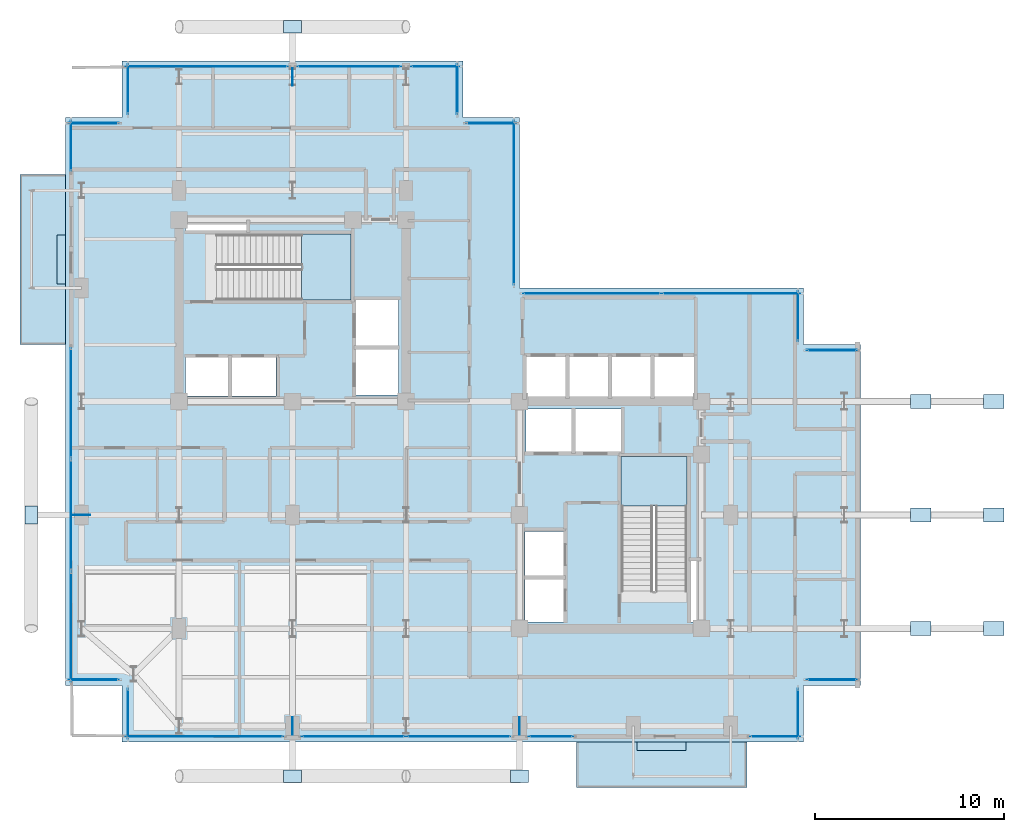
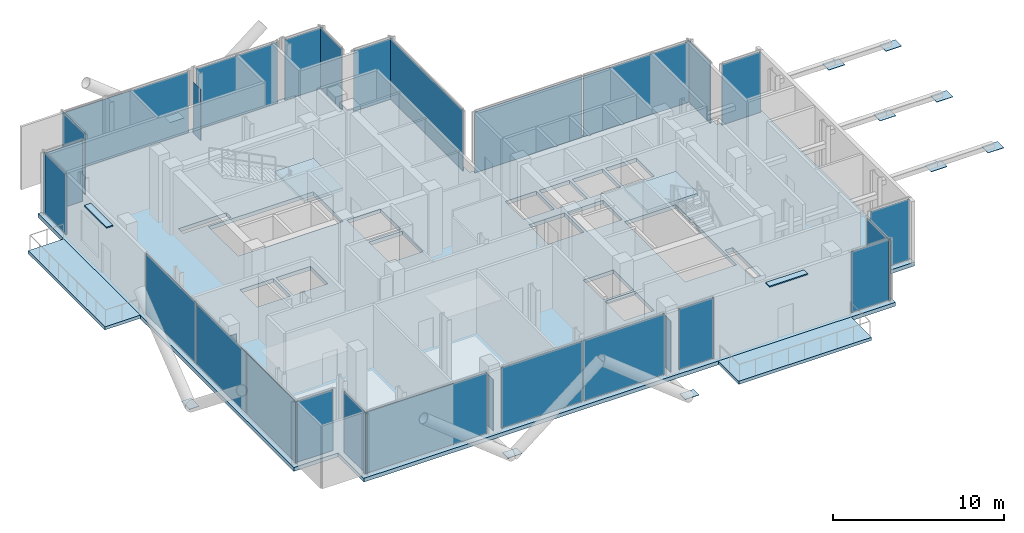
# One storey, part 13 of 22: 41 plates, 5 slabs, 23 elements without a shape of their own.
"""IFC4 building model written with IfcOpenShell, lengths in metres."""

from ifc_helpers import new_model, si_unit, direction, frame, origin, origin_2d, place, context, subcontext, project, spatial, polyline, rectangle, outline, extrude, material, layer, layer_set, type_object, element, aggregate, save


model = new_model("IFC4")

# Units and contexts
model_context = context("Model", 3, precision=1e-05, world=origin(), true_north=direction((0.0, 1.0)))
body_context = subcontext(model_context, "Body", "Model", "MODEL_VIEW")
ifc_project = project(units=[si_unit("LENGTHUNIT", "METRE"), si_unit("AREAUNIT", "SQUARE_METRE"), si_unit("VOLUMEUNIT", "CUBIC_METRE"), si_unit("PLANEANGLEUNIT", "RADIAN"), si_unit("MASSUNIT", "GRAM", prefix="KILO"), si_unit("THERMODYNAMICTEMPERATUREUNIT", "KELVIN"), si_unit("POWERUNIT", "WATT")], contexts=[model_context])

# Site, building, storey
site_placement = place(None, origin())
site = spatial("IfcSite", under=ifc_project, at=site_placement, CompositionType="ELEMENT")
building_placement = place(site_placement, origin())
building = spatial("IfcBuilding", under=site, at=building_placement, Name="Svarakhadi Broadcast Tower", CompositionType="ELEMENT")
storey_placement = place(building_placement, frame((0.0, 0.0, 199.199951171875)))
storey = spatial("IfcBuildingStorey", under=building, at=storey_placement, Name="L49", CompositionType="ELEMENT", Elevation=199.199951171875)

# Curtain wall, plate
ifc_material_1 = material(Name="Anodised Bronze Aluminium AA 6063-T6", Category="aluminium")
ifc_layer_1 = layer(ifc_material_1, 0.239990234375)
ifc_layer_set_1 = layer_set([ifc_layer_1], Name="Anodised Bronze Aluminium AA 6063-T6")
curtain_wall_type = type_object("IfcCurtainWallType", Name="CW_Sys_06", PredefinedType="NOTDEFINED", material=ifc_layer_set_1)
curtain_wall_1_placement = place(storey_placement, origin())
curtain_wall_1 = element("IfcCurtainWall", 1, at=curtain_wall_1_placement, inside=storey, type_object=curtain_wall_type, Name="L49 Unitised Facade Curtain Wall 01", PredefinedType="NOTDEFINED")
ifc_material_2 = material(Name="Double Low-E Laminated Acoustic Glass IGU 36 mm", Category="glass")
ifc_layer_2 = layer(ifc_material_2, 0.0400390625)
ifc_layer_set_2 = layer_set([ifc_layer_2], Name="Double Low-E Laminated Acoustic Glass IGU 36 mm")
plate_type_1 = type_object("IfcPlateType", Name="CW_Sys_06_Pnl", PredefinedType="CURTAIN_PANEL", material=ifc_layer_set_2)
plate_1_placement = place(storey_placement, frame((1.5, 3.300048828125, 0.080078125), z_axis=(0.0, 0.0, 1.0), x_axis=(-1.0, 0.0, 0.0)))
plate_1 = element("IfcPlate", 2, at=plate_1_placement, type_object=plate_type_1, Name="CW-06 panel 1.1", PredefinedType="CURTAIN_PANEL", context=body_context, shape_type="SweptSolid", body=[
    extrude(rectangle(XDim=2.639892578125, YDim=0.0400390625, at=origin_2d()), origin(), (0.0, 0.0, 1.0), 4.340087890625),
])
aggregate(curtain_wall_1, [plate_1])

# Curtain wall, plates
curtain_wall_2_placement = place(storey_placement, origin())
curtain_wall_2 = element("IfcCurtainWall", 3, at=curtain_wall_2_placement, inside=storey, type_object=curtain_wall_type, Name="L49 West Curtain Wall 02", PredefinedType="NOTDEFINED")
plate_2_placement = place(storey_placement, frame((0.300048828125, 6.08251953125, 0.080078125), z_axis=(0.0, 0.0, 1.0), x_axis=(0.0, 1.0, 0.0)))
plate_2 = element("IfcPlate", 4, at=plate_2_placement, type_object=plate_type_1, Name="CW-06 panel 1.1", PredefinedType="CURTAIN_PANEL", context=body_context, shape_type="SweptSolid", body=[
    extrude(rectangle(XDim=5.804931640625, YDim=0.0400390625, at=origin_2d()), origin(), (0.0, 0.0, 1.0), 4.340087890625),
])
plate_3_placement = place(storey_placement, frame((0.300048828125, 12.0, 0.080078125), z_axis=(0.0, 0.0, 1.0), x_axis=(0.0, 1.0, 0.0)))
plate_3 = element("IfcPlate", 5, at=plate_3_placement, type_object=plate_type_1, Name="CW-06 panel 2.1", PredefinedType="CURTAIN_PANEL", context=body_context, shape_type="SweptSolid", body=[
    extrude(rectangle(XDim=5.85009765625, YDim=0.0400390625, at=origin_2d()), origin(), (0.0, 0.0, 1.0), 4.340087890625),
])
plate_4_placement = place(storey_placement, frame((0.300048828125, 17.91748046875, 0.080078125), z_axis=(0.0, 0.0, 1.0), x_axis=(0.0, 1.0, 0.0)))
plate_4 = element("IfcPlate", 6, at=plate_4_placement, type_object=plate_type_1, Name="CW-06 panel 3.1", PredefinedType="CURTAIN_PANEL", context=body_context, shape_type="SweptSolid", body=[
    extrude(rectangle(XDim=5.804931640625, YDim=0.0400390625, at=origin_2d()), origin(), (0.0, 0.0, 1.0), 4.340087890625),
])
aggregate(curtain_wall_2, [plate_2, plate_3, plate_4])

# Curtain wall, plate
curtain_wall_3_placement = place(storey_placement, origin())
curtain_wall_3 = element("IfcCurtainWall", 7, at=curtain_wall_3_placement, inside=storey, type_object=curtain_wall_type, Name="L49 West Curtain Wall 03", PredefinedType="NOTDEFINED")
plate_5_placement = place(storey_placement, frame((0.300048828125, 31.5, 0.080078125), z_axis=(0.0, 0.0, 1.0), x_axis=(0.0, 1.0, 0.0)))
plate_5 = element("IfcPlate", 8, at=plate_5_placement, type_object=plate_type_1, Name="CW-06 panel 1.1", PredefinedType="CURTAIN_PANEL", context=body_context, shape_type="SweptSolid", body=[
    extrude(rectangle(XDim=2.639892578125, YDim=0.0400390625, at=origin_2d()), origin(), (0.0, 0.0, 1.0), 4.340087890625),
])
aggregate(curtain_wall_3, [plate_5])

curtain_wall_4_placement = place(storey_placement, origin())
curtain_wall_4 = element("IfcCurtainWall", 9, at=curtain_wall_4_placement, inside=storey, type_object=curtain_wall_type, Name="L49 Unitised Facade Curtain Wall 04", PredefinedType="NOTDEFINED")
plate_6_placement = place(storey_placement, frame((1.5, 32.699951171875, 0.080078125), z_axis=(0.0, 0.0, 1.0), x_axis=(1.0, 0.0, 0.0)))
plate_6 = element("IfcPlate", 10, at=plate_6_placement, type_object=plate_type_1, Name="CW-06 panel 1.1", PredefinedType="CURTAIN_PANEL", context=body_context, shape_type="SweptSolid", body=[
    extrude(rectangle(XDim=2.639892578125, YDim=0.0400390625, at=origin_2d()), origin(), (0.0, 0.0, 1.0), 4.340087890625),
])
aggregate(curtain_wall_4, [plate_6])

curtain_wall_5_placement = place(storey_placement, origin())
curtain_wall_5 = element("IfcCurtainWall", 11, at=curtain_wall_5_placement, inside=storey, type_object=curtain_wall_type, Name="L49 Unitised Facade Curtain Wall 05", PredefinedType="NOTDEFINED")
plate_7_placement = place(storey_placement, frame((3.300048828125, 34.5, 0.080078125), z_axis=(0.0, 0.0, 1.0), x_axis=(0.0, 1.0, 0.0)))
plate_7 = element("IfcPlate", 12, at=plate_7_placement, type_object=plate_type_1, Name="CW-06 panel 1.1", PredefinedType="CURTAIN_PANEL", context=body_context, shape_type="SweptSolid", body=[
    extrude(rectangle(XDim=2.639892578125, YDim=0.0400390625, at=origin_2d()), origin(), (0.0, 0.0, 1.0), 4.340087890625),
])
aggregate(curtain_wall_5, [plate_7])

curtain_wall_6_placement = place(storey_placement, origin())
curtain_wall_6 = element("IfcCurtainWall", 13, at=curtain_wall_6_placement, inside=storey, type_object=curtain_wall_type, Name="L49 Unitised Facade Curtain Wall 06 Bay 1", PredefinedType="NOTDEFINED")
plate_8_placement = place(storey_placement, frame((7.4599609375, 35.699951171875, 0.080078125), z_axis=(0.0, 0.0, 1.0), x_axis=(1.0, 0.0, 0.0)))
plate_8 = element("IfcPlate", 14, at=plate_8_placement, type_object=plate_type_1, Name="CW-06 panel 1.1", PredefinedType="CURTAIN_PANEL", context=body_context, shape_type="SweptSolid", body=[
    extrude(rectangle(XDim=8.56005859375, YDim=0.0400390625, at=origin_2d()), origin(), (0.0, 0.0, 1.0), 4.340087890625),
])
aggregate(curtain_wall_6, [plate_8])

curtain_wall_7_placement = place(storey_placement, origin())
curtain_wall_7 = element("IfcCurtainWall", 15, at=curtain_wall_7_placement, inside=storey, type_object=curtain_wall_type, Name="L49 Unitised Facade Curtain Wall 06 Bay 2", PredefinedType="NOTDEFINED")
plate_9_placement = place(storey_placement, frame((15.0, 35.699951171875, 0.080078125), z_axis=(0.0, 0.0, 1.0), x_axis=(1.0, 0.0, 0.0)))
plate_9 = element("IfcPlate", 16, at=plate_9_placement, type_object=plate_type_1, Name="CW-06 panel 1.1", PredefinedType="CURTAIN_PANEL", context=body_context, shape_type="SweptSolid", body=[
    extrude(rectangle(XDim=5.47998046875, YDim=0.0400390625, at=origin_2d()), origin(), (0.0, 0.0, 1.0), 4.340087890625),
])
aggregate(curtain_wall_7, [plate_9])

curtain_wall_8_placement = place(storey_placement, origin())
curtain_wall_8 = element("IfcCurtainWall", 17, at=curtain_wall_8_placement, inside=storey, type_object=curtain_wall_type, Name="L49 Unitised Facade Curtain Wall 06 Bay 3", PredefinedType="NOTDEFINED")
plate_10_placement = place(storey_placement, frame((19.5400390625, 35.699951171875, 0.080078125), z_axis=(0.0, 0.0, 1.0), x_axis=(1.0, 0.0, 0.0)))
plate_10 = element("IfcPlate", 18, at=plate_10_placement, type_object=plate_type_1, Name="CW-06 panel 1.1", PredefinedType="CURTAIN_PANEL", context=body_context, shape_type="SweptSolid", body=[
    extrude(rectangle(XDim=2.56005859375, YDim=0.0400390625, at=origin_2d()), origin(), (0.0, 0.0, 1.0), 4.340087890625),
])
aggregate(curtain_wall_8, [plate_10])

curtain_wall_9_placement = place(storey_placement, origin())
curtain_wall_9 = element("IfcCurtainWall", 19, at=curtain_wall_9_placement, inside=storey, type_object=curtain_wall_type, Name="L49 Unitised Facade Curtain Wall 07", PredefinedType="NOTDEFINED")
plate_11_placement = place(storey_placement, frame((20.699951171875, 34.5, 0.080078125), z_axis=(0.0, 0.0, 1.0), x_axis=(0.0, -1.0, 0.0)))
plate_11 = element("IfcPlate", 20, at=plate_11_placement, type_object=plate_type_1, Name="CW-06 panel 1.1", PredefinedType="CURTAIN_PANEL", context=body_context, shape_type="SweptSolid", body=[
    extrude(rectangle(XDim=2.639892578125, YDim=0.0400390625, at=origin_2d()), origin(), (0.0, 0.0, 1.0), 4.340087890625),
])
aggregate(curtain_wall_9, [plate_11])

curtain_wall_10_placement = place(storey_placement, origin())
curtain_wall_10 = element("IfcCurtainWall", 21, at=curtain_wall_10_placement, inside=storey, type_object=curtain_wall_type, Name="L49 Unitised Facade Curtain Wall 08", PredefinedType="NOTDEFINED")
plate_12_placement = place(storey_placement, frame((22.5, 32.699951171875, 0.080078125), z_axis=(0.0, 0.0, 1.0), x_axis=(1.0, 0.0, 0.0)))
plate_12 = element("IfcPlate", 22, at=plate_12_placement, type_object=plate_type_1, Name="CW-06 panel 1.1", PredefinedType="CURTAIN_PANEL", context=body_context, shape_type="SweptSolid", body=[
    extrude(rectangle(XDim=2.639892578125, YDim=0.0400390625, at=origin_2d()), origin(), (0.0, 0.0, 1.0), 4.340087890625),
])
aggregate(curtain_wall_10, [plate_12])

curtain_wall_11_placement = place(storey_placement, origin())
curtain_wall_11 = element("IfcCurtainWall", 23, at=curtain_wall_11_placement, inside=storey, type_object=curtain_wall_type, Name="L49 Unitised Facade Curtain Wall 09", PredefinedType="NOTDEFINED")
plate_13_placement = place(storey_placement, frame((23.699951171875, 28.5, 0.080078125), z_axis=(0.0, 0.0, 1.0), x_axis=(0.0, -1.0, 0.0)))
plate_13 = element("IfcPlate", 24, at=plate_13_placement, type_object=plate_type_1, Name="CW-06 panel 1.1", PredefinedType="CURTAIN_PANEL", context=body_context, shape_type="SweptSolid", body=[
    extrude(rectangle(XDim=8.639892578125, YDim=0.0400390625, at=origin_2d()), origin(), (0.0, 0.0, 1.0), 4.340087890625),
])
aggregate(curtain_wall_11, [plate_13])

# Curtain wall, plates
curtain_wall_12_placement = place(storey_placement, origin())
curtain_wall_12 = element("IfcCurtainWall", 25, at=curtain_wall_12_placement, inside=storey, type_object=curtain_wall_type, Name="L49 Unitised Facade Curtain Wall 10", PredefinedType="NOTDEFINED")
plate_14_placement = place(storey_placement, frame((27.8173828125, 23.699951171875, 0.080078125), z_axis=(0.0, 0.0, 1.0), x_axis=(1.0, 0.0, 0.0)))
plate_14 = element("IfcPlate", 26, at=plate_14_placement, type_object=plate_type_1, Name="CW-06 panel 1.1", PredefinedType="CURTAIN_PANEL", context=body_context, shape_type="SweptSolid", body=[
    extrude(rectangle(XDim=7.27490234375, YDim=0.0400390625, at=origin_2d()), origin(), (0.0, 0.0, 1.0), 4.340087890625),
])
plate_15_placement = place(storey_placement, frame((35.1826171875, 23.699951171875, 0.080078125), z_axis=(0.0, 0.0, 1.0), x_axis=(1.0, 0.0, 0.0)))
plate_15 = element("IfcPlate", 27, at=plate_15_placement, type_object=plate_type_1, Name="CW-06 panel 2.1", PredefinedType="CURTAIN_PANEL", context=body_context, shape_type="SweptSolid", body=[
    extrude(rectangle(XDim=7.27490234375, YDim=0.0400390625, at=origin_2d()), origin(), (0.0, 0.0, 1.0), 4.340087890625),
])
aggregate(curtain_wall_12, [plate_14, plate_15])

# Curtain wall, plate
curtain_wall_13_placement = place(storey_placement, origin())
curtain_wall_13 = element("IfcCurtainWall", 28, at=curtain_wall_13_placement, inside=storey, type_object=curtain_wall_type, Name="L49 Unitised Facade Curtain Wall 11", PredefinedType="NOTDEFINED")
plate_16_placement = place(storey_placement, frame((38.699951171875, 22.5, 0.080078125), z_axis=(0.0, 0.0, 1.0), x_axis=(0.0, -1.0, 0.0)))
plate_16 = element("IfcPlate", 29, at=plate_16_placement, type_object=plate_type_1, Name="CW-06 panel 1.1", PredefinedType="CURTAIN_PANEL", context=body_context, shape_type="SweptSolid", body=[
    extrude(rectangle(XDim=2.639892578125, YDim=0.0400390625, at=origin_2d()), origin(), (0.0, 0.0, 1.0), 4.340087890625),
])
aggregate(curtain_wall_13, [plate_16])

curtain_wall_14_placement = place(storey_placement, origin())
curtain_wall_14 = element("IfcCurtainWall", 30, at=curtain_wall_14_placement, inside=storey, type_object=curtain_wall_type, Name="L49 Unitised Facade Curtain Wall 12", PredefinedType="NOTDEFINED")
plate_17_placement = place(storey_placement, frame((40.5, 20.699951171875, 0.080078125), z_axis=(0.0, 0.0, 1.0), x_axis=(1.0, 0.0, 0.0)))
plate_17 = element("IfcPlate", 31, at=plate_17_placement, type_object=plate_type_1, Name="CW-06 panel 1.1", PredefinedType="CURTAIN_PANEL", context=body_context, shape_type="SweptSolid", body=[
    extrude(rectangle(XDim=2.639892578125, YDim=0.0400390625, at=origin_2d()), origin(), (0.0, 0.0, 1.0), 4.340087890625),
])
aggregate(curtain_wall_14, [plate_17])

curtain_wall_15_placement = place(storey_placement, origin())
curtain_wall_15 = element("IfcCurtainWall", 32, at=curtain_wall_15_placement, inside=storey, type_object=curtain_wall_type, Name="L49 Unitised Facade Curtain Wall 13", PredefinedType="NOTDEFINED")
plate_18_placement = place(storey_placement, frame((40.5, 3.300048828125, 0.080078125), z_axis=(0.0, 0.0, 1.0), x_axis=(-1.0, 0.0, 0.0)))
plate_18 = element("IfcPlate", 33, at=plate_18_placement, type_object=plate_type_1, Name="CW-06 panel 1.1", PredefinedType="CURTAIN_PANEL", context=body_context, shape_type="SweptSolid", body=[
    extrude(rectangle(XDim=2.639892578125, YDim=0.0400390625, at=origin_2d()), origin(), (0.0, 0.0, 1.0), 4.340087890625),
])
aggregate(curtain_wall_15, [plate_18])

curtain_wall_16_placement = place(storey_placement, origin())
curtain_wall_16 = element("IfcCurtainWall", 34, at=curtain_wall_16_placement, inside=storey, type_object=curtain_wall_type, Name="L49 Unitised Facade Curtain Wall 14", PredefinedType="NOTDEFINED")
plate_19_placement = place(storey_placement, frame((38.699951171875, 1.5, 0.080078125), z_axis=(0.0, 0.0, 1.0), x_axis=(0.0, -1.0, 0.0)))
plate_19 = element("IfcPlate", 35, at=plate_19_placement, type_object=plate_type_1, Name="CW-06 panel 1.1", PredefinedType="CURTAIN_PANEL", context=body_context, shape_type="SweptSolid", body=[
    extrude(rectangle(XDim=2.639892578125, YDim=0.0400390625, at=origin_2d()), origin(), (0.0, 0.0, 1.0), 4.340087890625),
])
aggregate(curtain_wall_16, [plate_19])

curtain_wall_17_placement = place(storey_placement, origin())
curtain_wall_17 = element("IfcCurtainWall", 36, at=curtain_wall_17_placement, inside=storey, type_object=curtain_wall_type, Name="L49 South Curtain Wall 15", PredefinedType="NOTDEFINED")
plate_20_placement = place(storey_placement, frame((37.5, 0.300048828125, 0.080078125), z_axis=(0.0, 0.0, 1.0), x_axis=(-1.0, 0.0, 0.0)))
plate_20 = element("IfcPlate", 37, at=plate_20_placement, type_object=plate_type_1, Name="CW-06 panel 1.1", PredefinedType="CURTAIN_PANEL", context=body_context, shape_type="SweptSolid", body=[
    extrude(rectangle(XDim=2.639892578125, YDim=0.0400390625, at=origin_2d()), origin(), (0.0, 0.0, 1.0), 4.340087890625),
])
aggregate(curtain_wall_17, [plate_20])

curtain_wall_18_placement = place(storey_placement, origin())
curtain_wall_18 = element("IfcCurtainWall", 38, at=curtain_wall_18_placement, inside=storey, type_object=curtain_wall_type, Name="L49 South Curtain Wall 16 Bay 1", PredefinedType="NOTDEFINED")
plate_21_placement = place(storey_placement, frame((25.652587890625, 0.300048828125, 0.080078125), z_axis=(0.0, 0.0, 1.0), x_axis=(-1.0, 0.0, 0.0)))
plate_21 = element("IfcPlate", 39, at=plate_21_placement, type_object=plate_type_1, Name="CW-06 panel 1.1", PredefinedType="CURTAIN_PANEL", context=body_context, shape_type="SweptSolid", body=[
    extrude(rectangle(XDim=2.3349609375, YDim=0.0400390625, at=origin_2d()), origin(), (0.0, 0.0, 1.0), 4.340087890625),
])
aggregate(curtain_wall_18, [plate_21])

# Curtain wall, plates
curtain_wall_19_placement = place(storey_placement, origin())
curtain_wall_19 = element("IfcCurtainWall", 40, at=curtain_wall_19_placement, inside=storey, type_object=curtain_wall_type, Name="L49 South Curtain Wall 16 Bay 2", PredefinedType="NOTDEFINED")
plate_22_placement = place(storey_placement, frame((20.780029296875, 0.300048828125, 0.080078125), z_axis=(0.0, 0.0, 1.0), x_axis=(-1.0, 0.0, 0.0)))
plate_22 = element("IfcPlate", 41, at=plate_22_placement, type_object=plate_type_1, Name="CW-06 panel 1.1", PredefinedType="CURTAIN_PANEL", context=body_context, shape_type="SweptSolid", body=[
    extrude(rectangle(XDim=5.469970703125, YDim=0.0400390625, at=origin_2d()), origin(), (0.0, 0.0, 1.0), 4.340087890625),
])
plate_23_placement = place(storey_placement, frame((15.219970703125, 0.300048828125, 0.080078125), z_axis=(0.0, 0.0, 1.0), x_axis=(-1.0, 0.0, 0.0)))
plate_23 = element("IfcPlate", 42, at=plate_23_placement, type_object=plate_type_1, Name="CW-06 panel 2.1", PredefinedType="CURTAIN_PANEL", context=body_context, shape_type="SweptSolid", body=[
    extrude(rectangle(XDim=5.469970703125, YDim=0.0400390625, at=origin_2d()), origin(), (0.0, 0.0, 1.0), 4.340087890625),
])
aggregate(curtain_wall_19, [plate_22, plate_23])

# Curtain wall, plate
curtain_wall_20_placement = place(storey_placement, origin())
curtain_wall_20 = element("IfcCurtainWall", 43, at=curtain_wall_20_placement, inside=storey, type_object=curtain_wall_type, Name="L49 South Curtain Wall 16 Bay 3", PredefinedType="NOTDEFINED")
plate_24_placement = place(storey_placement, frame((7.347412109375, 0.300048828125, 0.080078125), z_axis=(0.0, 0.0, 1.0), x_axis=(-1.0, 0.0, 0.0)))
plate_24 = element("IfcPlate", 44, at=plate_24_placement, type_object=plate_type_1, Name="CW-06 panel 1.1", PredefinedType="CURTAIN_PANEL", context=body_context, shape_type="SweptSolid", body=[
    extrude(rectangle(XDim=8.3349609375, YDim=0.0400390625, at=origin_2d()), origin(), (0.0, 0.0, 1.0), 4.340087890625),
])
aggregate(curtain_wall_20, [plate_24])

curtain_wall_21_placement = place(storey_placement, origin())
curtain_wall_21 = element("IfcCurtainWall", 45, at=curtain_wall_21_placement, inside=storey, type_object=curtain_wall_type, Name="L49 Unitised Facade Curtain Wall 17", PredefinedType="NOTDEFINED")
plate_25_placement = place(storey_placement, frame((3.300048828125, 1.5, 0.080078125), z_axis=(0.0, 0.0, 1.0), x_axis=(0.0, 1.0, 0.0)))
plate_25 = element("IfcPlate", 46, at=plate_25_placement, type_object=plate_type_1, Name="CW-06 panel 1.1", PredefinedType="CURTAIN_PANEL", context=body_context, shape_type="SweptSolid", body=[
    extrude(rectangle(XDim=2.639892578125, YDim=0.0400390625, at=origin_2d()), origin(), (0.0, 0.0, 1.0), 4.340087890625),
])
aggregate(curtain_wall_21, [plate_25])

# Plates
ifc_material_3 = material(Name="Steel S460ML (IS 2062 E450BR)", Category="steel")
ifc_layer_3 = layer(ifc_material_3, 0.028076171875)
ifc_layer_set_3 = layer_set([ifc_layer_3], Name="Steel S460ML (IS 2062 E450BR)")
plate_type_2 = type_object("IfcPlateType", Name="Node_Gusset_N03", PredefinedType="SHEET", material=ifc_layer_set_3)
for number, where, z_axis, x_axis, name in (
    (47, (12.0, -1.800048828125, -0.27490234375), (0.0, 0.0, 1.0), (1.0, 0.0, 0.0), "L49 Exoskeleton Gusset Node Plate S01"),
    (48, (24.0, -1.800048828125, -0.27490234375), (0.0, 0.0, 1.0), (1.0, 0.0, 0.0), "L49 Exoskeleton Gusset Node Plate S02"),
    (49, (-1.800048828125, 12.0, -0.27490234375), (0.0, 0.0, 1.0), (0.0, 1.0, 0.0), "L49 Exoskeleton Gusset Node Plate W03"),
    (50, (12.0, 37.800048828125, -0.27490234375), (0.0, 0.0, 1.0), (1.0, 0.0, 0.0), "L49 Exoskeleton Gusset Node Plate N04"),
):
    element("IfcPlate", number, at=place(storey_placement, frame(where, z_axis=z_axis, x_axis=x_axis)), inside=storey, type_object=plate_type_2, Name=name, PredefinedType="SHEET", context=body_context, shape_type="SweptSolid", body=[
        extrude(rectangle(XDim=0.9599609375, YDim=0.659912109375, at=origin_2d()), origin(), (0.0, 0.0, 1.0), 0.028076171875),
    ])
ifc_layer_4 = layer(ifc_material_3, 0.02587890625)
ifc_layer_set_4 = layer_set([ifc_layer_4], Name="Steel S460ML (IS 2062 E450BR)")
plate_type_3 = type_object("IfcPlateType", Name="Node_Gusset_N07", PredefinedType="SHEET", material=ifc_layer_set_4)
for number, where, z_axis, x_axis, name in (
    (51, (12.0, 0.85009765625, -0.63720703125), (0.0, 0.0, 1.0), (0.0, 1.0, 0.0), "L49 Brace End Connection Gusset Plate N-07-E0405"),
    (52, (24.0, 0.85009765625, -0.63720703125), (0.0, 0.0, 1.0), (0.0, 1.0, 0.0), "L49 Brace End Connection Gusset Plate N-07-E0406"),
    (53, (0.85009765625, 12.0, -0.63720703125), (0.0, 0.0, 1.0), (1.0, 0.0, 0.0), "L49 Brace End Connection Gusset Plate N-07-E0407"),
    (54, (12.0, 35.14990234375, -0.63720703125), (0.0, 0.0, 1.0), (0.0, 1.0, 0.0), "L49 Brace End Connection Gusset Plate N-07-E0408"),
):
    element("IfcPlate", number, at=place(storey_placement, frame(where, z_axis=z_axis, x_axis=x_axis)), inside=storey, type_object=plate_type_3, Name=name, PredefinedType="SHEET", context=body_context, shape_type="SweptSolid", body=[
        extrude(rectangle(XDim=0.919921875, YDim=0.02587890625, at=origin_2d()), origin(), (0.0, 0.0, 1.0), 4.300048828125),
    ])
ifc_layer_5 = layer(ifc_material_3, 0.031982421875)
ifc_layer_set_5 = layer_set([ifc_layer_5], Name="Steel S460ML (IS 2062 E450BR)")
plate_type_4 = type_object("IfcPlateType", Name="Pool_Node_PN01", PredefinedType="SHEET", material=ifc_layer_set_5)
for number, where, z_axis, x_axis, name in (
    (55, (45.199951171875, 6.0, 3.91796875), (0.0, 0.0, 1.0), (1.0, 0.0, 0.0), "L50 Sky Pool Truss Node Gusset Plate PN-01-1-1"),
    (56, (49.050048828125, 6.0, 3.91796875), (0.0, 0.0, 1.0), (1.0, 0.0, 0.0), "L50 Sky Pool Truss Node Gusset Plate PN-01-1-2"),
    (57, (45.199951171875, 12.0, 3.91796875), (0.0, 0.0, 1.0), (1.0, 0.0, 0.0), "L50 Sky Pool Truss Node Gusset Plate PN-01-2-1"),
    (58, (49.050048828125, 12.0, 3.91796875), (0.0, 0.0, 1.0), (1.0, 0.0, 0.0), "L50 Sky Pool Truss Node Gusset Plate PN-01-2-2"),
    (59, (45.199951171875, 18.0, 3.91796875), (0.0, 0.0, 1.0), (1.0, 0.0, 0.0), "L50 Sky Pool Truss Node Gusset Plate PN-01-3-1"),
    (60, (49.050048828125, 18.0, 3.91796875), (0.0, 0.0, 1.0), (1.0, 0.0, 0.0), "L50 Sky Pool Truss Node Gusset Plate PN-01-3-2"),
):
    element("IfcPlate", number, at=place(storey_placement, frame(where, z_axis=z_axis, x_axis=x_axis)), inside=storey, type_object=plate_type_4, Name=name, PredefinedType="SHEET", context=body_context, shape_type="SweptSolid", body=[
        extrude(rectangle(XDim=1.080078125, YDim=0.739990234375, at=origin_2d()), origin(), (0.0, 0.0, 1.0), 0.031982421875),
    ])

# Slab
ifc_material_4 = material(Name="Concrete C40/50 (IS 456 M50)", Category="concrete")
ifc_layer_6 = layer(ifc_material_4, 0.27490234375)
ifc_layer_set_6 = layer_set([ifc_layer_6], Name="Concrete C40/50 (IS 456 M50)")
slab_type_1 = type_object("IfcSlabType", Name="Slab_Floor_275", PredefinedType="FLOOR", material=ifc_layer_set_6)
slab_1_placement = place(storey_placement, frame((0.0, 0.0, -0.27490234375)))
element("IfcSlab", 61, at=slab_1_placement, inside=storey, type_object=slab_type_1, Name="L49 Structural Floor Slab", PredefinedType="FLOOR", context=body_context, shape_type="SweptSolid", body=[
    extrude(outline(polyline([(3.0, 0.0), (39.0, 0.0), (39.0, 3.0), (42.0, 3.0), (42.0, 21.0), (39.0, 21.0), (39.0, 24.0), (24.0, 24.0), (24.0, 33.0), (21.0, 33.0), (21.0, 36.0), (3.0, 36.0), (3.0, 33.0), (0.0, 33.0), (0.0, 3.0), (3.0, 3.0), (3.0, 0.0)]), holes=[polyline([(7.97998046875, 23.360107421875), (15.080078125, 23.360107421875), (15.080078125, 26.840087890625), (7.97998046875, 26.840087890625), (7.97998046875, 23.360107421875)]), polyline([(32.840087890625, 7.97998046875), (32.840087890625, 15.080078125), (29.360107421875, 15.080078125), (29.360107421875, 7.97998046875), (32.840087890625, 7.97998046875)]), polyline([(6.340087890625, 18.2900390625), (8.610107421875, 18.2900390625), (8.610107421875, 20.330078125), (6.340087890625, 20.330078125), (6.340087890625, 18.2900390625)]), polyline([(8.7900390625, 18.2900390625), (11.1298828125, 18.2900390625), (11.1298828125, 20.330078125), (8.7900390625, 20.330078125), (8.7900390625, 18.2900390625)]), polyline([(24.2900390625, 6.340087890625), (26.330078125, 6.340087890625), (26.330078125, 8.610107421875), (24.2900390625, 8.610107421875), (24.2900390625, 6.340087890625)]), polyline([(24.2900390625, 8.7900390625), (26.330078125, 8.7900390625), (26.330078125, 11.1298828125), (24.2900390625, 11.1298828125), (24.2900390625, 8.7900390625)]), polyline([(6.340087890625, 26.989990234375), (9.610107421875, 26.989990234375), (9.610107421875, 27.530029296875), (6.340087890625, 27.530029296875), (6.340087890625, 26.989990234375)]), polyline([(32.989990234375, 6.340087890625), (33.530029296875, 6.340087890625), (33.530029296875, 9.610107421875), (32.989990234375, 9.610107421875), (32.989990234375, 6.340087890625)]), polyline([(15.340087890625, 18.340087890625), (17.610107421875, 18.340087890625), (17.610107421875, 20.760009765625), (15.340087890625, 20.760009765625), (15.340087890625, 18.340087890625)]), polyline([(15.340087890625, 20.93994140625), (17.610107421875, 20.93994140625), (17.610107421875, 23.360107421875), (15.340087890625, 23.360107421875), (15.340087890625, 20.93994140625)]), polyline([(24.340087890625, 15.340087890625), (26.760009765625, 15.340087890625), (26.760009765625, 17.610107421875), (24.340087890625, 17.610107421875), (24.340087890625, 15.340087890625)]), polyline([(26.93994140625, 15.340087890625), (29.360107421875, 15.340087890625), (29.360107421875, 17.610107421875), (26.93994140625, 17.610107421875), (26.93994140625, 15.340087890625)]), polyline([(24.340087890625, 18.239990234375), (26.429931640625, 18.239990234375), (26.429931640625, 20.360107421875), (24.340087890625, 20.360107421875), (24.340087890625, 18.239990234375)]), polyline([(26.610107421875, 18.239990234375), (28.679931640625, 18.239990234375), (28.679931640625, 20.360107421875), (26.610107421875, 20.360107421875), (26.610107421875, 18.239990234375)]), polyline([(28.860107421875, 18.239990234375), (30.929931640625, 18.239990234375), (30.929931640625, 20.360107421875), (28.860107421875, 20.360107421875), (28.860107421875, 18.239990234375)]), polyline([(31.110107421875, 18.239990234375), (33.2099609375, 18.239990234375), (33.2099609375, 20.360107421875), (31.110107421875, 20.360107421875), (31.110107421875, 18.239990234375)])]), origin(), (0.0, 0.0, 1.0), 0.27490234375),
])

# Stair, slab
stair_type = type_object("IfcStairType", Name="Stair_Exit_Core", PredefinedType="HALF_TURN_STAIR", material=ifc_material_4)
stair_1_placement = place(storey_placement, origin())
stair_1 = element("IfcStair", 62, at=stair_1_placement, inside=storey, type_object=stair_type, Name="L49 West Core Protected Exit Stair ST-01", PredefinedType="HALF_TURN_STAIR")
ifc_layer_7 = layer(ifc_material_4, 0.199951171875)
ifc_layer_set_7 = layer_set([ifc_layer_7], Name="Concrete C40/50 (IS 456 M50)")
slab_type_2 = type_object("IfcSlabType", Name="Slab_Stair_Land", PredefinedType="LANDING", material=ifc_layer_set_7)
slab_2_placement = place(storey_placement, frame((0.0, 0.0, 2.199951171875)))
slab_2 = element("IfcSlab", 63, at=slab_2_placement, type_object=slab_type_2, Name="ST-01 landing 1", PredefinedType="LANDING", context=body_context, shape_type="SweptSolid", body=[
    extrude(outline(polyline([(12.47998046875, 23.360107421875), (15.080078125, 23.360107421875), (15.080078125, 26.840087890625), (12.47998046875, 26.840087890625), (12.47998046875, 23.360107421875)])), origin(), (0.0, 0.0, 1.0), 0.2001953125),
])
aggregate(stair_1, [slab_2])

stair_2_placement = place(storey_placement, origin())
stair_2 = element("IfcStair", 64, at=stair_2_placement, inside=storey, type_object=stair_type, Name="L49 East Core Protected Exit Stair ST-02", PredefinedType="HALF_TURN_STAIR")
slab_3_placement = place(storey_placement, frame((0.0, 0.0, 2.199951171875)))
slab_3 = element("IfcSlab", 65, at=slab_3_placement, type_object=slab_type_2, Name="ST-02 landing 1", PredefinedType="LANDING", context=body_context, shape_type="SweptSolid", body=[
    extrude(outline(polyline([(32.840087890625, 12.47998046875), (32.840087890625, 15.080078125), (29.360107421875, 15.080078125), (29.360107421875, 12.47998046875), (32.840087890625, 12.47998046875)])), origin(), (0.0, 0.0, 1.0), 0.2001953125),
])
aggregate(stair_2, [slab_3])

# Slabs
ifc_layer_8 = layer(ifc_material_4, 0.22509765625)
ifc_layer_set_8 = layer_set([ifc_layer_8], Name="Concrete C40/50 (IS 456 M50)")
slab_type_3 = type_object("IfcSlabType", Name="Slab_TreeBalcony", PredefinedType="FLOOR", material=ifc_layer_set_8)
slab_4_placement = place(storey_placement, frame((0.0, 0.0, -0.224853515625)))
element("IfcSlab", 66, at=slab_4_placement, inside=storey, type_object=slab_type_3, Name="L49 Planted Tree Balcony Slab BAL-E", PredefinedType="FLOOR", context=body_context, shape_type="SweptSolid", body=[
    extrude(outline(polyline([(27.0, -2.39990234375), (36.0, -2.39990234375), (36.0, 0.0), (27.0, 0.0), (27.0, -2.39990234375)])), origin(), (0.0, 0.0, 1.0), 0.224853515625),
])
slab_5_placement = place(storey_placement, frame((0.0, 0.0, -0.224853515625)))
element("IfcSlab", 67, at=slab_5_placement, inside=storey, type_object=slab_type_3, Name="L49 Planted Tree Balcony Slab BAL-N", PredefinedType="FLOOR", context=body_context, shape_type="SweptSolid", body=[
    extrude(outline(polyline([(-2.39990234375, 21.0), (0.0, 21.0), (0.0, 30.0), (-2.39990234375, 30.0), (-2.39990234375, 21.0)])), origin(), (0.0, 0.0, 1.0), 0.224853515625),
])

# Plates
ifc_layer_9 = layer(ifc_material_1, 0.080078125)
ifc_layer_set_9 = layer_set([ifc_layer_9], Name="Anodised Bronze Aluminium AA 6063-T6")
plate_type_5 = type_object("IfcPlateType", Name="Sunshade_Fin_SS01", PredefinedType="USERDEFINED", material=ifc_layer_set_9)
for number, where, z_axis, x_axis, name in (
    (68, (31.5, -0.22509765625, 4.419921875), (0.0, 0.0, 1.0), (1.0, 0.0, 0.0), "L49 South Bronze Brise-Soleil Sunshade SS-01"),
    (69, (-0.22509765625, 25.5, 4.419921875), (0.0, 0.0, 1.0), (0.0, 1.0, 0.0), "L49 West Bronze Brise-Soleil Sunshade SS-01"),
):
    element("IfcPlate", number, at=place(storey_placement, frame(where, z_axis=z_axis, x_axis=x_axis)), inside=storey, type_object=plate_type_5, Name=name, ObjectType="SUNSHADE", PredefinedType="USERDEFINED", context=body_context, shape_type="SweptSolid", body=[
        extrude(rectangle(XDim=2.60009765625, YDim=0.449951171875, at=origin_2d()), origin(), (0.0, 0.0, 1.0), 0.080078125),
    ])

save(model, "model.ifc")
